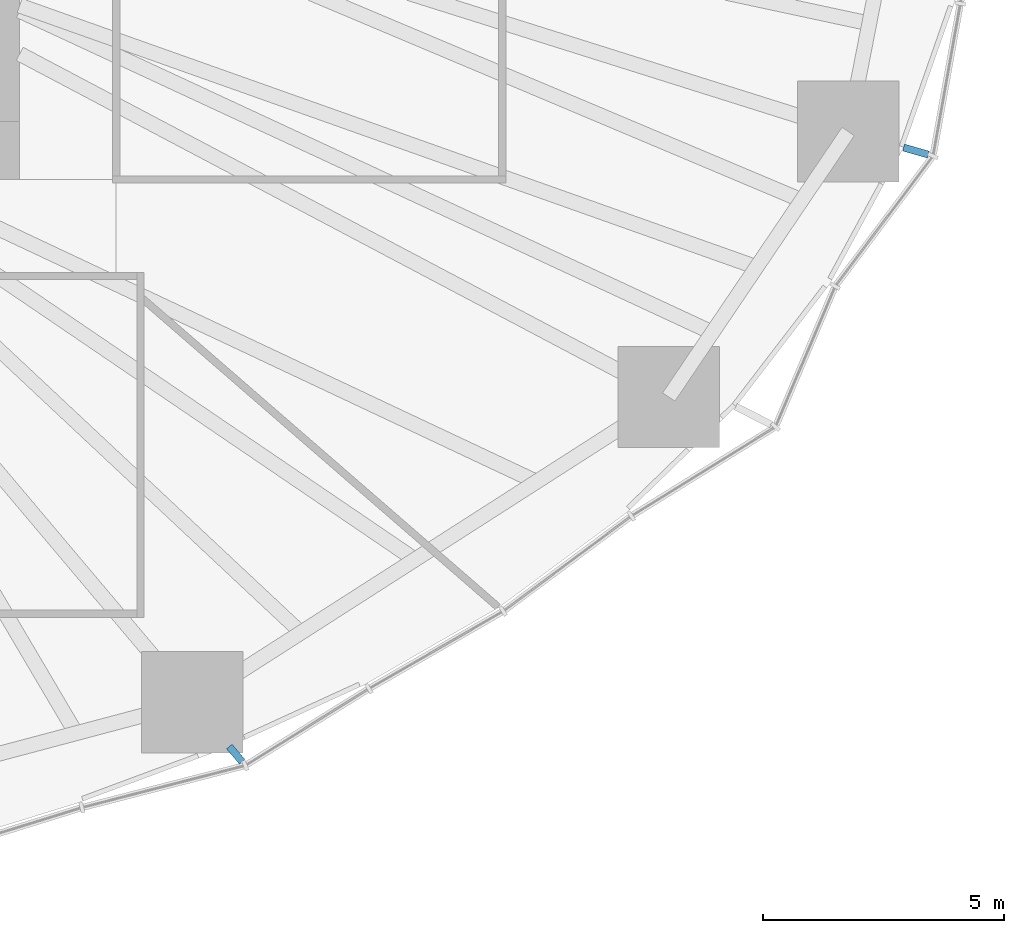
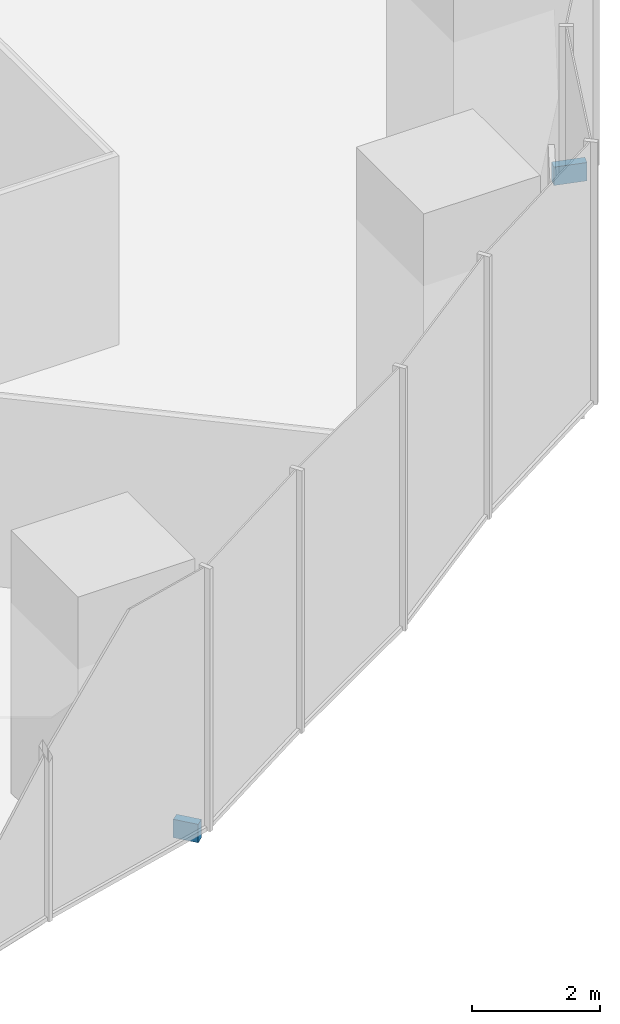
# One storey, part 14 of 20: 2 discrete accessories.
"""IFC4 building model written with IfcOpenShell, lengths in metres."""

from ifc_helpers import new_model, si_unit, direction, frame, origin, origin_2d, place, context, subcontext, project, spatial, rectangle, extrude, material, type_object, element, save


model = new_model("IFC4")

# Units and contexts
model_context = context("Model", 3, precision=1e-05, world=origin(), true_north=direction((0.0, 1.0)))
body_context = subcontext(model_context, "Body", "Model", "MODEL_VIEW")
ifc_project = project(units=[si_unit("LENGTHUNIT", "METRE"), si_unit("AREAUNIT", "SQUARE_METRE"), si_unit("VOLUMEUNIT", "CUBIC_METRE"), si_unit("PLANEANGLEUNIT", "RADIAN"), si_unit("MASSUNIT", "GRAM", prefix="KILO")], contexts=[model_context])

# Site, building, storey
site_placement = place(None, origin())
site = spatial("IfcSite", under=ifc_project, at=site_placement, CompositionType="ELEMENT")
building_placement = place(site_placement, origin())
building = spatial("IfcBuilding", under=site, at=building_placement, Name="Ghaith Harvest Tower", CompositionType="ELEMENT")
storey_placement = place(building_placement, frame((0.0, 0.0, 30.0)))
storey = spatial("IfcBuildingStorey", under=building, at=storey_placement, Name="L06", CompositionType="ELEMENT", Elevation=30.0)

# Discrete accessories
ifc_material_1 = material(Name="Stainless steel grade 1.4401", Category="steel")
discrete_accessory_type_1 = type_object("IfcDiscreteAccessoryType", Name="CURTAIN WALL BRACKET 415", PredefinedType="BRACKET", material=ifc_material_1)
discrete_accessory_1_placement = place(storey_placement, frame((18.475830078125, -21.90966796875, -0.25), z_axis=(0.0, 0.0, 1.0), x_axis=(0.644657240069, -0.764471741025, 0.0)))
element("IfcDiscreteAccessory", 1, at=discrete_accessory_1_placement, inside=storey, type_object=discrete_accessory_type_1, Name="CW-F bracket 1 bay 18 L06", PredefinedType="BRACKET", context=body_context, shape_type="SweptSolid", body=[
    extrude(rectangle(XDim=0.4150390625, YDim=0.14990234375, at=origin_2d()), origin(), (0.0, 0.0, 1.0), 0.35009765625),
])
ifc_material_2 = material(Name="Stainless steel grade 1.4401", Category="steel")
discrete_accessory_type_2 = type_object("IfcDiscreteAccessoryType", Name="CURTAIN WALL BRACKET 535", PredefinedType="BRACKET", material=ifc_material_2)
discrete_accessory_2_placement = place(storey_placement, frame((32.570556640625, -9.41357421875, -0.25), z_axis=(0.0, 0.0, 1.0), x_axis=(0.960680349932, -0.277656739976, 0.0)))
element("IfcDiscreteAccessory", 2, at=discrete_accessory_2_placement, inside=storey, type_object=discrete_accessory_type_2, Name="CW-F bracket 1 bay 20 L06", PredefinedType="BRACKET", context=body_context, shape_type="SweptSolid", body=[
    extrude(rectangle(XDim=0.534912109375, YDim=0.14990234375, at=origin_2d()), origin(), (0.0, 0.0, 1.0), 0.35009765625),
])

save(model, "model.ifc")
